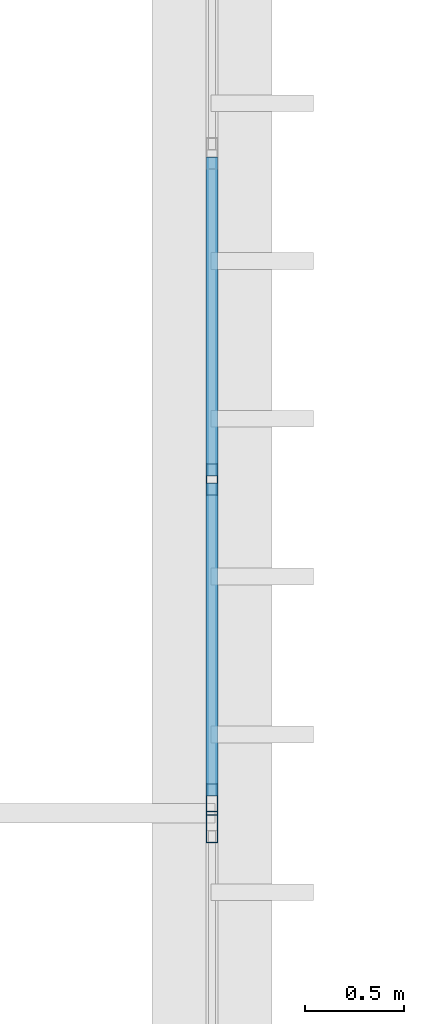
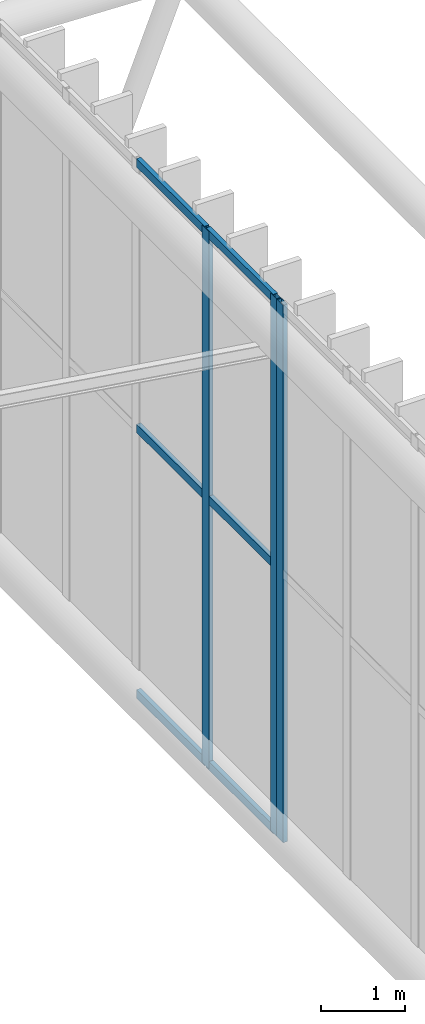
# One storey, part 280 of 397: 9 members, 2 elements without a shape of their own.
"""IFC4 building model written with IfcOpenShell, lengths in metres."""

from ifc_helpers import new_model, si_unit, direction, frame, origin, origin_2d, place, context, subcontext, project, spatial, hollow_rectangle, extrude, material, material_profile, profile_set, type_object, element, aggregate, save


model = new_model("IFC4")

# Units and contexts
model_context = context("Model", 3, precision=1e-05, world=origin(), true_north=direction((0.0, 1.0)))
body_context = subcontext(model_context, "Body", "Model", "MODEL_VIEW")
ifc_project = project(units=[si_unit("LENGTHUNIT", "METRE"), si_unit("AREAUNIT", "SQUARE_METRE"), si_unit("VOLUMEUNIT", "CUBIC_METRE"), si_unit("PLANEANGLEUNIT", "RADIAN"), si_unit("MASSUNIT", "GRAM", prefix="KILO")], contexts=[model_context])

# Site, building, storey
site_placement = place(None, origin())
site = spatial("IfcSite", under=ifc_project, at=site_placement, CompositionType="ELEMENT")
building_placement = place(site_placement, origin())
building = spatial("IfcBuilding", under=site, at=building_placement, Name="Qandorah Velis Arena", CompositionType="ELEMENT")
storey_placement = place(building_placement, frame((0.0, 0.0, 27.5)))
storey = spatial("IfcBuildingStorey", under=building, at=storey_placement, Name="RF", CompositionType="ELEMENT", Elevation=27.5)

# Curtain wall, member
ifc_material_1 = material(Name="Solar-control low-E double glazing", Category="glass")
curtain_wall_type_1 = type_object("IfcCurtainWallType", Name="ARC-CW-SYS13", PredefinedType="USERDEFINED", material=ifc_material_1)
curtain_wall_1_placement = place(storey_placement, origin())
curtain_wall_1 = element("IfcCurtainWall", 1, at=curtain_wall_1_placement, inside=storey, type_object=curtain_wall_type_1, Name="Unitised curtain wall CROWN-2-05S1", ObjectType="UNITISED CURTAIN WALL", PredefinedType="USERDEFINED")
ifc_material_2 = material(Name="Champagne-bronze anodized aluminium 6063-T6", Category="aluminium")
ifc_material_profile_1 = material_profile(ifc_material_2, hollow_rectangle(XDim=0.06005859375, YDim=0.159912109375, WallThickness=0.00341796875, at=origin_2d()), Name="ALU MULLION 60x160")
ifc_profile_set_1 = profile_set([ifc_material_profile_1], Name="Champagne-bronze anodized aluminium 6063-T6")
member_type_1 = type_object("IfcMemberType", Name="ARC-CWM-160", PredefinedType="MULLION", material=ifc_profile_set_1)
member_1_placement = place(storey_placement, frame((115.199951171875, 64.72998046875, -0.014892578125), z_axis=(0.0, 0.0, 1.0), x_axis=(-1.0, 0.0, 0.0)))
member_1 = element("IfcMember", 2, at=member_1_placement, type_object=member_type_1, Name="CW13 mullion 5", PredefinedType="MULLION", context=body_context, shape_type="SweptSolid", body=[
    extrude(hollow_rectangle(XDim=0.06005859375, YDim=0.159912109375, WallThickness=0.00341796875, at=origin_2d()), origin(), (0.0, 0.0, 1.0), 7.764892578125),
])
aggregate(curtain_wall_1, [member_1])

# Curtain wall, members
curtain_wall_type_2 = type_object("IfcCurtainWallType", Name="ARC-CW-SYS14", PredefinedType="USERDEFINED", material=ifc_material_1)
curtain_wall_2_placement = place(storey_placement, origin())
curtain_wall_2 = element("IfcCurtainWall", 3, at=curtain_wall_2_placement, inside=storey, type_object=curtain_wall_type_2, Name="Unitised curtain wall CROWN-2-05S2", ObjectType="UNITISED CURTAIN WALL", PredefinedType="USERDEFINED")
member_2_placement = place(storey_placement, frame((115.199951171875, 64.8701171875, -0.014892578125), z_axis=(0.0, 0.0, 1.0), x_axis=(-1.0, 0.0, 0.0)))
member_2 = element("IfcMember", 4, at=member_2_placement, type_object=member_type_1, Name="CW14 mullion 1", PredefinedType="MULLION", context=body_context, shape_type="SweptSolid", body=[
    extrude(hollow_rectangle(XDim=0.06005859375, YDim=0.159912109375, WallThickness=0.00341796875, at=origin_2d()), origin(), (0.0, 0.0, 1.0), 7.764892578125),
])
member_3_placement = place(storey_placement, frame((115.199951171875, 66.492431640625, -0.014892578125), z_axis=(0.0, 0.0, 1.0), x_axis=(-1.0, 0.0, 0.0)))
member_3 = element("IfcMember", 5, at=member_3_placement, type_object=member_type_1, Name="CW14 mullion 2", PredefinedType="MULLION", context=body_context, shape_type="SweptSolid", body=[
    extrude(hollow_rectangle(XDim=0.06005859375, YDim=0.159912109375, WallThickness=0.00341796875, at=origin_2d()), origin(), (0.0, 0.0, 1.0), 7.764892578125),
])
ifc_material_profile_2 = material_profile(ifc_material_2, hollow_rectangle(XDim=0.06005859375, YDim=0.1201171875, WallThickness=0.0029296875, at=origin_2d()), Name="ALU TRANSOM 60x120")
ifc_profile_set_2 = profile_set([ifc_material_profile_2], Name="Champagne-bronze anodized aluminium 6063-T6")
member_type_2 = type_object("IfcMemberType", Name="ARC-CWT-120", PredefinedType="USERDEFINED", material=ifc_profile_set_2)
member_4_placement = place(storey_placement, frame((115.199951171875, 64.887939453125, 0.030029296875), z_axis=(0.0, 1.0, 0.0), x_axis=(-1.0, 0.0, 0.0)))
member_4 = element("IfcMember", 6, at=member_4_placement, type_object=member_type_2, Name="CW14 transom 1.1", ObjectType="TRANSOM", PredefinedType="USERDEFINED", context=body_context, shape_type="SweptSolid", body=[
    extrude(hollow_rectangle(XDim=0.06005859375, YDim=0.1201171875, WallThickness=0.0029296875, at=origin_2d()), origin(), (0.0, 0.0, 1.0), 1.586669921875),
])
member_5_placement = place(storey_placement, frame((115.199951171875, 64.887939453125, 3.86767578125), z_axis=(0.0, 1.0, 0.0), x_axis=(-1.0, 0.0, 0.0)))
member_5 = element("IfcMember", 7, at=member_5_placement, type_object=member_type_2, Name="CW14 transom 1.2", ObjectType="TRANSOM", PredefinedType="USERDEFINED", context=body_context, shape_type="SweptSolid", body=[
    extrude(hollow_rectangle(XDim=0.06005859375, YDim=0.1201171875, WallThickness=0.0029296875, at=origin_2d()), origin(), (0.0, 0.0, 1.0), 1.586669921875),
])
member_6_placement = place(storey_placement, frame((115.199951171875, 64.887939453125, 7.705078125), z_axis=(0.0, 1.0, 0.0), x_axis=(-1.0, 0.0, 0.0)))
member_6 = element("IfcMember", 8, at=member_6_placement, type_object=member_type_2, Name="CW14 transom 1.3", ObjectType="TRANSOM", PredefinedType="USERDEFINED", context=body_context, shape_type="SweptSolid", body=[
    extrude(hollow_rectangle(XDim=0.06005859375, YDim=0.1201171875, WallThickness=0.0029296875, at=origin_2d()), origin(), (0.0, 0.0, 1.0), 1.586669921875),
])
member_7_placement = place(storey_placement, frame((115.199951171875, 66.510498046875, 0.030029296875), z_axis=(0.0, 1.0, 0.0), x_axis=(-1.0, 0.0, 0.0)))
member_7 = element("IfcMember", 9, at=member_7_placement, type_object=member_type_2, Name="CW14 transom 2.1", ObjectType="TRANSOM", PredefinedType="USERDEFINED", context=body_context, shape_type="SweptSolid", body=[
    extrude(hollow_rectangle(XDim=0.06005859375, YDim=0.1201171875, WallThickness=0.0029296875, at=origin_2d()), origin(), (0.0, 0.0, 1.0), 1.616455078125),
])
member_8_placement = place(storey_placement, frame((115.199951171875, 66.510498046875, 3.86767578125), z_axis=(0.0, 1.0, 0.0), x_axis=(-1.0, 0.0, 0.0)))
member_8 = element("IfcMember", 10, at=member_8_placement, type_object=member_type_2, Name="CW14 transom 2.2", ObjectType="TRANSOM", PredefinedType="USERDEFINED", context=body_context, shape_type="SweptSolid", body=[
    extrude(hollow_rectangle(XDim=0.06005859375, YDim=0.1201171875, WallThickness=0.0029296875, at=origin_2d()), origin(), (0.0, 0.0, 1.0), 1.616455078125),
])
member_9_placement = place(storey_placement, frame((115.199951171875, 66.510498046875, 7.705078125), z_axis=(0.0, 1.0, 0.0), x_axis=(-1.0, 0.0, 0.0)))
member_9 = element("IfcMember", 11, at=member_9_placement, type_object=member_type_2, Name="CW14 transom 2.3", ObjectType="TRANSOM", PredefinedType="USERDEFINED", context=body_context, shape_type="SweptSolid", body=[
    extrude(hollow_rectangle(XDim=0.06005859375, YDim=0.1201171875, WallThickness=0.0029296875, at=origin_2d()), origin(), (0.0, 0.0, 1.0), 1.616455078125),
])
aggregate(curtain_wall_2, [member_2, member_3, member_4, member_5, member_6, member_7, member_8, member_9])

save(model, "model.ifc")
